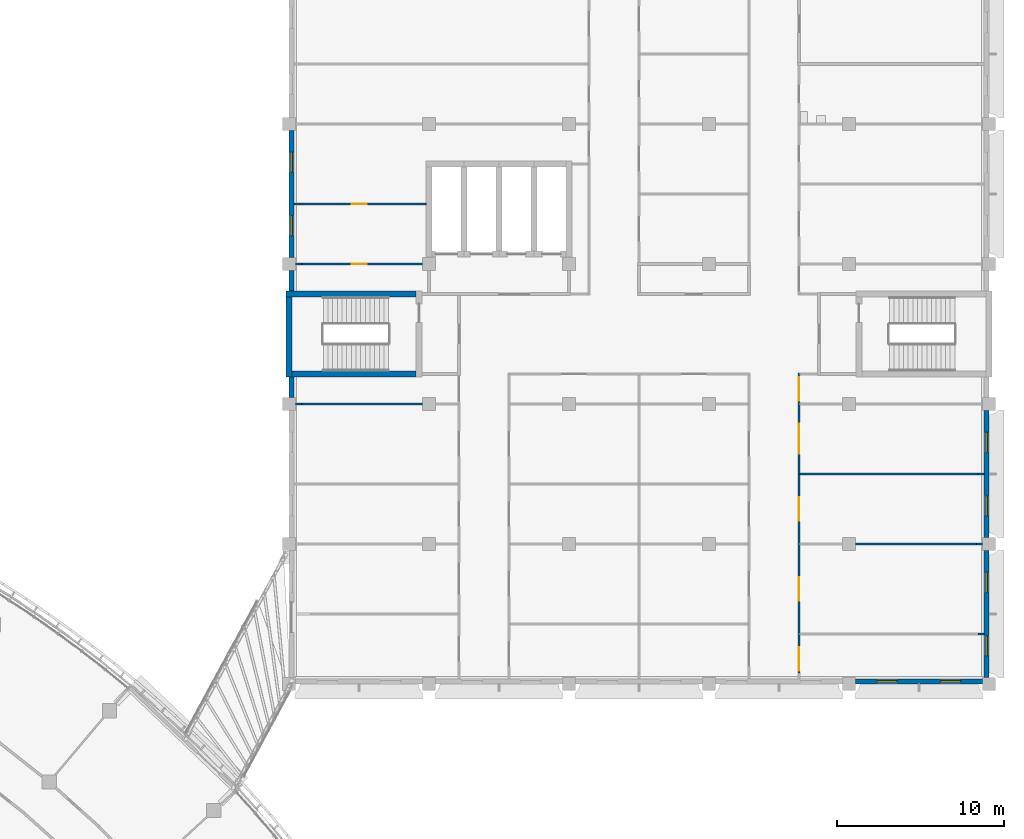
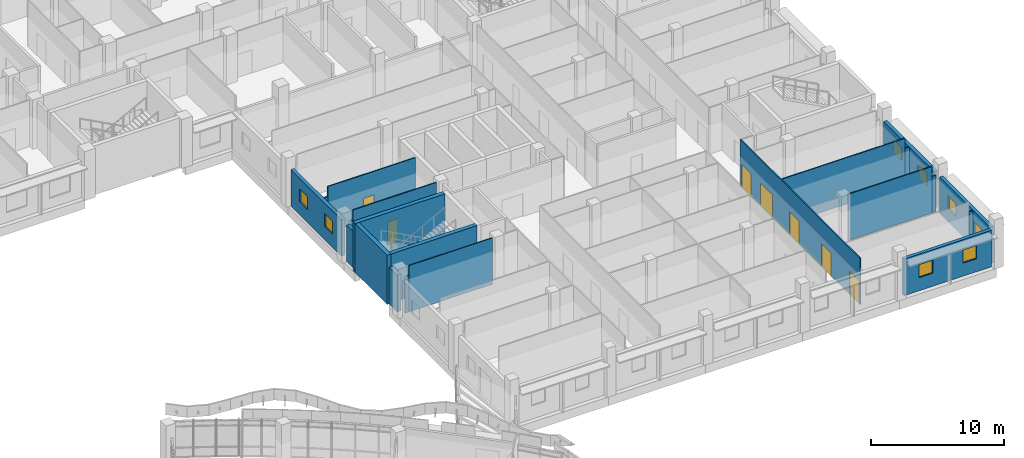
# One storey, part 82 of 136: 21 walls, 8 windows, 7 doors, 15 openings.
"""IFC4 building model written with IfcOpenShell, lengths in metres."""

from ifc_helpers import new_model, si_unit, direction, frame, frame_2d, origin, place, context, subcontext, project, spatial, rectangle, extrude, material, layer, layer_set, type_object, element, fill, save


model = new_model("IFC4")

# Units and contexts
model_context = context("Model", 3, precision=1e-05, world=origin(), true_north=direction((0.0, 1.0)))
body_context = subcontext(model_context, "Body", "Model", "MODEL_VIEW")
ifc_project = project(units=[si_unit("LENGTHUNIT", "METRE"), si_unit("AREAUNIT", "SQUARE_METRE"), si_unit("VOLUMEUNIT", "CUBIC_METRE"), si_unit("PLANEANGLEUNIT", "RADIAN"), si_unit("MASSUNIT", "GRAM", prefix="KILO")], contexts=[model_context])

# Site, building, storey
site_placement = place(None, origin())
site = spatial("IfcSite", under=ifc_project, at=site_placement, CompositionType="ELEMENT")
building_placement = place(site_placement, origin())
building = spatial("IfcBuilding", under=site, at=building_placement, Name="Bougainvillea Quay General Hospital", CompositionType="ELEMENT")
storey_placement = place(building_placement, frame((0.0, 0.0, 5.39990234375)))
storey = spatial("IfcBuildingStorey", under=building, at=storey_placement, Name="L01", CompositionType="ELEMENT", Elevation=5.39990234375)

# Wall, openings, windows
ifc_material_1 = material(Name="Pale stone rainscreen cladding on insulated masonry backing, pale stone", Category="masonry")
ifc_layer_1 = layer(ifc_material_1, 0.300048828125)
ifc_layer_set_1 = layer_set([ifc_layer_1], Name="Pale stone rainscreen cladding on insulated masonry backing, pale stone")
wall_type_1 = type_object("IfcWallType", Name="External wall pale stone rainscreen 300", PredefinedType="STANDARD", material=ifc_layer_set_1)
wall_1_placement = place(storey_placement, frame((163.949951171875, 108.800048828125, 0.0), z_axis=(0.0, 0.0, 1.0), x_axis=(0.0, -1.0, 0.0)))
wall_1 = element("IfcWall", 1, at=wall_1_placement, inside=storey, type_object=wall_type_1, Name="External wall wall/V3/L01/p0/00b", PredefinedType="STANDARD", context=body_context, shape_type="SweptSolid", body=[
    extrude(rectangle(XDim=7.60009765625, YDim=0.300048828125, at=frame_2d((3.800048828125, 0.0))), origin(), (0.0, 0.0, 1.0), 3.35009765625),
])
opening_1_placement = place(wall_1_placement, frame((1.300048828125, 0.0, 1.199951171875)))
opening_1 = element("IfcOpeningElement", 2, at=opening_1_placement, cuts=wall_1, Name="Opening W2", PredefinedType="OPENING", context=body_context, shape_type="SweptSolid", body=[
    extrude(rectangle(XDim=1.199951171875, YDim=1.199951171875, at=frame_2d((0.60009765625, 0.60009765625))), frame((0.0, 0.159912109375, 0.0), z_axis=(0.0, -1.0, 0.0), x_axis=(1.0, 0.0, 0.0)), (0.0, 0.0, 1.0), 0.320068359375),
])
opening_2_placement = place(wall_1_placement, frame((5.10009765625, 0.0, 1.199951171875)))
opening_2 = element("IfcOpeningElement", 3, at=opening_2_placement, cuts=wall_1, Name="Opening W2", PredefinedType="OPENING", context=body_context, shape_type="SweptSolid", body=[
    extrude(rectangle(XDim=1.199951171875, YDim=1.199951171875, at=frame_2d((0.60009765625, 0.60009765625))), frame((0.0, 0.159912109375, 0.0), z_axis=(0.0, -1.0, 0.0), x_axis=(1.0, 0.0, 0.0)), (0.0, 0.0, 1.0), 0.320068359375),
])
ifc_material_2 = material(Name="Aluminium window frame with low-e double glazed unit", Category="aluminium")
window_type = type_object("IfcWindowType", Name="Window W2 1200x1200", PartitioningType="SINGLE_PANEL", PredefinedType="WINDOW", material=ifc_material_2)
window_1_placement = place(opening_1_placement, origin())
window_1 = element("IfcWindow", 4, at=window_1_placement, inside=storey, type_object=window_type, Name="Window W2 1", OverallHeight=1.199951171875, OverallWidth=1.199951171875, PartitioningType="SINGLE_PANEL", PredefinedType="WINDOW", context=body_context, shape_type="SweptSolid", body=[
    extrude(rectangle(XDim=1.199951171875, YDim=1.199951171875, at=frame_2d((0.60009765625, 0.60009765625))), frame((0.0, 0.030029296875, 0.0), z_axis=(0.0, -1.0, 0.0), x_axis=(1.0, 0.0, 0.0)), (0.0, 0.0, 1.0), 0.06005859375),
])
fill(opening_1, window_1)
window_2_placement = place(opening_2_placement, origin())
window_2 = element("IfcWindow", 5, at=window_2_placement, inside=storey, type_object=window_type, Name="Window W2 2", OverallHeight=1.199951171875, OverallWidth=1.199951171875, PartitioningType="SINGLE_PANEL", PredefinedType="WINDOW", context=body_context, shape_type="SweptSolid", body=[
    extrude(rectangle(XDim=1.199951171875, YDim=1.199951171875, at=frame_2d((0.60009765625, 0.60009765625))), frame((0.0, 0.030029296875, 0.0), z_axis=(0.0, -1.0, 0.0), x_axis=(1.0, 0.0, 0.0)), (0.0, 0.0, 1.0), 0.06005859375),
])
fill(opening_2, window_2)

wall_2_placement = place(storey_placement, frame((197.800048828125, 75.75, 0.0), z_axis=(0.0, 0.0, 1.0), x_axis=(1.0, 0.0, 0.0)))
wall_2 = element("IfcWall", 6, at=wall_2_placement, inside=storey, type_object=wall_type_1, Name="External wall wall/V3/L01/p0/01e", PredefinedType="STANDARD", context=body_context, shape_type="SweptSolid", body=[
    extrude(rectangle(XDim=7.599853515625, YDim=0.300048828125, at=frame_2d((3.7998046875, 0.0))), origin(), (0.0, 0.0, 1.0), 3.35009765625),
])
opening_3_placement = place(wall_2_placement, frame((1.300048828125, 0.0, 1.199951171875)))
opening_3 = element("IfcOpeningElement", 7, at=opening_3_placement, cuts=wall_2, Name="Opening W2", PredefinedType="OPENING", context=body_context, shape_type="SweptSolid", body=[
    extrude(rectangle(XDim=1.199951171875, YDim=1.199951171875, at=frame_2d((0.60009765625, 0.60009765625))), frame((0.0, 0.159912109375, 0.0), z_axis=(0.0, -1.0, 0.0), x_axis=(1.0, 0.0, 0.0)), (0.0, 0.0, 1.0), 0.320068359375),
])
opening_4_placement = place(wall_2_placement, frame((5.10009765625, 0.0, 1.199951171875)))
opening_4 = element("IfcOpeningElement", 8, at=opening_4_placement, cuts=wall_2, Name="Opening W2", PredefinedType="OPENING", context=body_context, shape_type="SweptSolid", body=[
    extrude(rectangle(XDim=1.199951171875, YDim=1.199951171875, at=frame_2d((0.60009765625, 0.60009765625))), frame((0.0, 0.159912109375, 0.0), z_axis=(0.0, -1.0, 0.0), x_axis=(1.0, 0.0, 0.0)), (0.0, 0.0, 1.0), 0.320068359375),
])
window_3_placement = place(opening_3_placement, origin())
window_3 = element("IfcWindow", 9, at=window_3_placement, inside=storey, type_object=window_type, Name="Window W2 1", OverallHeight=1.199951171875, OverallWidth=1.199951171875, PartitioningType="SINGLE_PANEL", PredefinedType="WINDOW", context=body_context, shape_type="SweptSolid", body=[
    extrude(rectangle(XDim=1.199951171875, YDim=1.199951171875, at=frame_2d((0.60009765625, 0.60009765625))), frame((0.0, 0.030029296875, 0.0), z_axis=(0.0, -1.0, 0.0), x_axis=(1.0, 0.0, 0.0)), (0.0, 0.0, 1.0), 0.06005859375),
])
fill(opening_3, window_3)
window_4_placement = place(opening_4_placement, origin())
window_4 = element("IfcWindow", 10, at=window_4_placement, inside=storey, type_object=window_type, Name="Window W2 2", OverallHeight=1.199951171875, OverallWidth=1.199951171875, PartitioningType="SINGLE_PANEL", PredefinedType="WINDOW", context=body_context, shape_type="SweptSolid", body=[
    extrude(rectangle(XDim=1.199951171875, YDim=1.199951171875, at=frame_2d((0.60009765625, 0.60009765625))), frame((0.0, 0.030029296875, 0.0), z_axis=(0.0, -1.0, 0.0), x_axis=(1.0, 0.0, 0.0)), (0.0, 0.0, 1.0), 0.06005859375),
])
fill(opening_4, window_4)

wall_3_placement = place(storey_placement, frame((205.64990234375, 76.0, 0.0), z_axis=(0.0, 0.0, 1.0), x_axis=(0.0, 1.0, 0.0)))
wall_3 = element("IfcWall", 11, at=wall_3_placement, inside=storey, type_object=wall_type_1, Name="External wall wall/V3/L01/p0/02a", PredefinedType="STANDARD", context=body_context, shape_type="SweptSolid", body=[
    extrude(rectangle(XDim=7.60009765625, YDim=0.300048828125, at=frame_2d((3.800048828125, 0.0))), origin(), (0.0, 0.0, 1.0), 3.35009765625),
])
opening_5_placement = place(wall_3_placement, frame((1.300048828125, 0.0, 1.199951171875)))
opening_5 = element("IfcOpeningElement", 12, at=opening_5_placement, cuts=wall_3, Name="Opening W2", PredefinedType="OPENING", context=body_context, shape_type="SweptSolid", body=[
    extrude(rectangle(XDim=1.199951171875, YDim=1.199951171875, at=frame_2d((0.60009765625, 0.60009765625))), frame((0.0, 0.159912109375, 0.0), z_axis=(0.0, -1.0, 0.0), x_axis=(1.0, 0.0, 0.0)), (0.0, 0.0, 1.0), 0.320068359375),
])
opening_6_placement = place(wall_3_placement, frame((5.10009765625, 0.0, 1.199951171875)))
opening_6 = element("IfcOpeningElement", 13, at=opening_6_placement, cuts=wall_3, Name="Opening W2", PredefinedType="OPENING", context=body_context, shape_type="SweptSolid", body=[
    extrude(rectangle(XDim=1.199951171875, YDim=1.199951171875, at=frame_2d((0.60009765625, 0.60009765625))), frame((0.0, 0.159912109375, 0.0), z_axis=(0.0, -1.0, 0.0), x_axis=(1.0, 0.0, 0.0)), (0.0, 0.0, 1.0), 0.320068359375),
])
window_5_placement = place(opening_5_placement, origin())
window_5 = element("IfcWindow", 14, at=window_5_placement, inside=storey, type_object=window_type, Name="Window W2 1", OverallHeight=1.199951171875, OverallWidth=1.199951171875, PartitioningType="SINGLE_PANEL", PredefinedType="WINDOW", context=body_context, shape_type="SweptSolid", body=[
    extrude(rectangle(XDim=1.199951171875, YDim=1.199951171875, at=frame_2d((0.60009765625, 0.60009765625))), frame((0.0, 0.030029296875, 0.0), z_axis=(0.0, -1.0, 0.0), x_axis=(1.0, 0.0, 0.0)), (0.0, 0.0, 1.0), 0.06005859375),
])
fill(opening_5, window_5)
window_6_placement = place(opening_6_placement, origin())
window_6 = element("IfcWindow", 15, at=window_6_placement, inside=storey, type_object=window_type, Name="Window W2 2", OverallHeight=1.199951171875, OverallWidth=1.199951171875, PartitioningType="SINGLE_PANEL", PredefinedType="WINDOW", context=body_context, shape_type="SweptSolid", body=[
    extrude(rectangle(XDim=1.199951171875, YDim=1.199951171875, at=frame_2d((0.60009765625, 0.60009765625))), frame((0.0, 0.030029296875, 0.0), z_axis=(0.0, -1.0, 0.0), x_axis=(1.0, 0.0, 0.0)), (0.0, 0.0, 1.0), 0.06005859375),
])
fill(opening_6, window_6)

wall_4_placement = place(storey_placement, frame((205.64990234375, 84.39990234375, 0.0), z_axis=(0.0, 0.0, 1.0), x_axis=(0.0, 1.0, 0.0)))
wall_4 = element("IfcWall", 16, at=wall_4_placement, inside=storey, type_object=wall_type_1, Name="External wall wall/V3/L01/p0/02b", PredefinedType="STANDARD", context=body_context, shape_type="SweptSolid", body=[
    extrude(rectangle(XDim=7.60009765625, YDim=0.300048828125, at=frame_2d((3.800048828125, 0.0))), origin(), (0.0, 0.0, 1.0), 3.35009765625),
])
opening_7_placement = place(wall_4_placement, frame((1.300048828125, 0.0, 1.199951171875)))
opening_7 = element("IfcOpeningElement", 17, at=opening_7_placement, cuts=wall_4, Name="Opening W2", PredefinedType="OPENING", context=body_context, shape_type="SweptSolid", body=[
    extrude(rectangle(XDim=1.199951171875, YDim=1.199951171875, at=frame_2d((0.60009765625, 0.60009765625))), frame((0.0, 0.159912109375, 0.0), z_axis=(0.0, -1.0, 0.0), x_axis=(1.0, 0.0, 0.0)), (0.0, 0.0, 1.0), 0.320068359375),
])
opening_8_placement = place(wall_4_placement, frame((5.10009765625, 0.0, 1.199951171875)))
opening_8 = element("IfcOpeningElement", 18, at=opening_8_placement, cuts=wall_4, Name="Opening W2", PredefinedType="OPENING", context=body_context, shape_type="SweptSolid", body=[
    extrude(rectangle(XDim=1.199951171875, YDim=1.199951171875, at=frame_2d((0.60009765625, 0.60009765625))), frame((0.0, 0.159912109375, 0.0), z_axis=(0.0, -1.0, 0.0), x_axis=(1.0, 0.0, 0.0)), (0.0, 0.0, 1.0), 0.320068359375),
])
window_7_placement = place(opening_7_placement, origin())
window_7 = element("IfcWindow", 19, at=window_7_placement, inside=storey, type_object=window_type, Name="Window W2 1", OverallHeight=1.199951171875, OverallWidth=1.199951171875, PartitioningType="SINGLE_PANEL", PredefinedType="WINDOW", context=body_context, shape_type="SweptSolid", body=[
    extrude(rectangle(XDim=1.199951171875, YDim=1.199951171875, at=frame_2d((0.60009765625, 0.60009765625))), frame((0.0, 0.030029296875, 0.0), z_axis=(0.0, -1.0, 0.0), x_axis=(1.0, 0.0, 0.0)), (0.0, 0.0, 1.0), 0.06005859375),
])
fill(opening_7, window_7)
window_8_placement = place(opening_8_placement, origin())
window_8 = element("IfcWindow", 20, at=window_8_placement, inside=storey, type_object=window_type, Name="Window W2 2", OverallHeight=1.199951171875, OverallWidth=1.199951171875, PartitioningType="SINGLE_PANEL", PredefinedType="WINDOW", context=body_context, shape_type="SweptSolid", body=[
    extrude(rectangle(XDim=1.199951171875, YDim=1.199951171875, at=frame_2d((0.60009765625, 0.60009765625))), frame((0.0, 0.030029296875, 0.0), z_axis=(0.0, -1.0, 0.0), x_axis=(1.0, 0.0, 0.0)), (0.0, 0.0, 1.0), 0.06005859375),
])
fill(opening_8, window_8)

# Walls
ifc_material_3 = material(Name="Terracotta rainscreen cladding on insulated masonry backing, terracotta", Category="masonry")
ifc_layer_2 = layer(ifc_material_3, 0.300048828125)
ifc_layer_set_2 = layer_set([ifc_layer_2], Name="Terracotta rainscreen cladding on insulated masonry backing, terracotta")
wall_type_2 = type_object("IfcWallType", Name="External wall terracotta rainscreen 300", PredefinedType="STANDARD", material=ifc_layer_set_2)
for number, where, z_axis, x_axis, name in (
    (21, (163.949951171875, 100.39990234375, 0.0), (0.0, 0.0, 1.0), (0.0, -1.0, 0.0), "External wall wall/V3/L01/p0/00c"),
    (22, (163.949951171875, 94.02490234375, 0.0), (0.0, 0.0, 1.0), (0.0, -1.0, 0.0), "External wall wall/V3/L01/p0/00d"),
):
    element("IfcWall", number, at=place(storey_placement, frame(where, z_axis=z_axis, x_axis=x_axis)), inside=storey, type_object=wall_type_2, Name=name, PredefinedType="STANDARD", context=body_context, shape_type="SweptSolid", body=[
        extrude(rectangle(XDim=1.224853515625, YDim=0.300048828125, at=frame_2d((0.6123046875, 0.0))), origin(), (0.0, 0.0, 1.0), 3.35009765625),
    ])

# Wall, openings, doors
ifc_material_4 = material(Name="Gypsum board partition on steel studs", Category="steel")
ifc_layer_3 = layer(ifc_material_4, 0.10009765625)
ifc_layer_set_3 = layer_set([ifc_layer_3], Name="Gypsum board partition on steel studs")
wall_type_3 = type_object("IfcWallType", Name="Partition 100 Gypsum board partition", PredefinedType="PARTITIONING", material=ifc_layer_set_3)
wall_5_placement = place(storey_placement, frame((194.39990234375, 94.25, 0.0), z_axis=(0.0, 0.0, 1.0), x_axis=(0.0, -1.0, 0.0)))
wall_5 = element("IfcWall", 23, at=wall_5_placement, inside=storey, type_object=wall_type_3, Name="Partition 100 mm", PredefinedType="PARTITIONING", context=body_context, shape_type="SweptSolid", body=[
    extrude(rectangle(XDim=18.0, YDim=0.10009765625, at=frame_2d((9.0, 0.0))), origin(), (0.0, 0.0, 1.0), 4.25),
])
opening_9_placement = place(wall_5_placement, frame((0.25, 0.0, 0.0)))
opening_9 = element("IfcOpeningElement", 24, at=opening_9_placement, cuts=wall_5, Name="Opening L01.112", PredefinedType="OPENING", context=body_context, shape_type="SweptSolid", body=[
    extrude(rectangle(XDim=1.39990234375, YDim=2.10009765625, at=frame_2d((0.699951171875, 1.050048828125))), frame((0.0, 0.06005859375, 0.0), z_axis=(0.0, -1.0, 0.0), x_axis=(1.0, 0.0, 0.0)), (0.0, 0.0, 1.0), 0.1201171875),
])
opening_10_placement = place(wall_5_placement, frame((3.050048828125, 0.0, 0.0)))
opening_10 = element("IfcOpeningElement", 25, at=opening_10_placement, cuts=wall_5, Name="Opening L01.113", PredefinedType="OPENING", context=body_context, shape_type="SweptSolid", body=[
    extrude(rectangle(XDim=1.800048828125, YDim=2.10009765625, at=frame_2d((0.89990234375, 1.050048828125))), frame((0.0, 0.06005859375, 0.0), z_axis=(0.0, -1.0, 0.0), x_axis=(1.0, 0.0, 0.0)), (0.0, 0.0, 1.0), 0.1201171875),
])
opening_11_placement = place(wall_5_placement, frame((7.449951171875, 0.0, 0.0)))
opening_11 = element("IfcOpeningElement", 26, at=opening_11_placement, cuts=wall_5, Name="Opening L01.114", PredefinedType="OPENING", context=body_context, shape_type="SweptSolid", body=[
    extrude(rectangle(XDim=1.39990234375, YDim=2.10009765625, at=frame_2d((0.699951171875, 1.050048828125))), frame((0.0, 0.06005859375, 0.0), z_axis=(0.0, -1.0, 0.0), x_axis=(1.0, 0.0, 0.0)), (0.0, 0.0, 1.0), 0.1201171875),
])
opening_12_placement = place(wall_5_placement, frame((12.25, 0.0, 0.0)))
opening_12 = element("IfcOpeningElement", 27, at=opening_12_placement, cuts=wall_5, Name="Opening L01.115", PredefinedType="OPENING", context=body_context, shape_type="SweptSolid", body=[
    extrude(rectangle(XDim=1.39990234375, YDim=2.10009765625, at=frame_2d((0.699951171875, 1.050048828125))), frame((0.0, 0.06005859375, 0.0), z_axis=(0.0, -1.0, 0.0), x_axis=(1.0, 0.0, 0.0)), (0.0, 0.0, 1.0), 0.1201171875),
])
opening_13_placement = place(wall_5_placement, frame((16.449951171875, 0.0, 0.0)))
opening_13 = element("IfcOpeningElement", 28, at=opening_13_placement, cuts=wall_5, Name="Opening L01.116", PredefinedType="OPENING", context=body_context, shape_type="SweptSolid", body=[
    extrude(rectangle(XDim=1.39990234375, YDim=2.10009765625, at=frame_2d((0.699951171875, 1.050048828125))), frame((0.0, 0.06005859375, 0.0), z_axis=(0.0, -1.0, 0.0), x_axis=(1.0, 0.0, 0.0)), (0.0, 0.0, 1.0), 0.1201171875),
])
ifc_material_5 = material(Name="Solid-core timber door leaves in steel frame", Category="steel")
door_type_1 = type_object("IfcDoorType", Name="Bed door pair 1400x2100", OperationType="DOUBLE_DOOR_SINGLE_SWING", PredefinedType="DOOR", material=ifc_material_5)
door_1_placement = place(opening_9_placement, origin())
door_1 = element("IfcDoor", 29, at=door_1_placement, inside=storey, type_object=door_type_1, Name="DT09 L01.112", OperationType="DOUBLE_DOOR_SINGLE_SWING", OverallHeight=2.10009765625, OverallWidth=1.39990234375, PredefinedType="DOOR", context=body_context, shape_type="SweptSolid", body=[
    extrude(rectangle(XDim=1.39990234375, YDim=2.10009765625, at=frame_2d((0.699951171875, 1.050048828125))), frame((0.0, 0.02490234375, 0.0), z_axis=(0.0, -1.0, 0.0), x_axis=(1.0, 0.0, 0.0)), (0.0, 0.0, 1.0), 0.050048828125),
])
fill(opening_9, door_1)
door_2_placement = place(opening_11_placement, origin())
door_2 = element("IfcDoor", 30, at=door_2_placement, inside=storey, type_object=door_type_1, Name="DT09 L01.114", OperationType="DOUBLE_DOOR_SINGLE_SWING", OverallHeight=2.10009765625, OverallWidth=1.39990234375, PredefinedType="DOOR", context=body_context, shape_type="SweptSolid", body=[
    extrude(rectangle(XDim=1.39990234375, YDim=2.10009765625, at=frame_2d((0.699951171875, 1.050048828125))), frame((0.0, 0.02490234375, 0.0), z_axis=(0.0, -1.0, 0.0), x_axis=(1.0, 0.0, 0.0)), (0.0, 0.0, 1.0), 0.050048828125),
])
fill(opening_11, door_2)
door_3_placement = place(opening_12_placement, origin())
door_3 = element("IfcDoor", 31, at=door_3_placement, inside=storey, type_object=door_type_1, Name="DT09 L01.115", OperationType="DOUBLE_DOOR_SINGLE_SWING", OverallHeight=2.10009765625, OverallWidth=1.39990234375, PredefinedType="DOOR", context=body_context, shape_type="SweptSolid", body=[
    extrude(rectangle(XDim=1.39990234375, YDim=2.10009765625, at=frame_2d((0.699951171875, 1.050048828125))), frame((0.0, 0.02490234375, 0.0), z_axis=(0.0, -1.0, 0.0), x_axis=(1.0, 0.0, 0.0)), (0.0, 0.0, 1.0), 0.050048828125),
])
fill(opening_12, door_3)
door_4_placement = place(opening_13_placement, origin())
door_4 = element("IfcDoor", 32, at=door_4_placement, inside=storey, type_object=door_type_1, Name="DT09 L01.116", OperationType="DOUBLE_DOOR_SINGLE_SWING", OverallHeight=2.10009765625, OverallWidth=1.39990234375, PredefinedType="DOOR", context=body_context, shape_type="SweptSolid", body=[
    extrude(rectangle(XDim=1.39990234375, YDim=2.10009765625, at=frame_2d((0.699951171875, 1.050048828125))), frame((0.0, 0.02490234375, 0.0), z_axis=(0.0, -1.0, 0.0), x_axis=(1.0, 0.0, 0.0)), (0.0, 0.0, 1.0), 0.050048828125),
])
fill(opening_13, door_4)
door_type_2 = type_object("IfcDoorType", Name="Double leaf door 1800x2100", OperationType="DOUBLE_DOOR_SINGLE_SWING", PredefinedType="DOOR", material=ifc_material_5)
door_5_placement = place(opening_10_placement, origin())
door_5 = element("IfcDoor", 33, at=door_5_placement, inside=storey, type_object=door_type_2, Name="DT08 L01.113", OperationType="DOUBLE_DOOR_SINGLE_SWING", OverallHeight=2.10009765625, OverallWidth=1.800048828125, PredefinedType="DOOR", context=body_context, shape_type="SweptSolid", body=[
    extrude(rectangle(XDim=1.800048828125, YDim=2.10009765625, at=frame_2d((0.89990234375, 1.050048828125))), frame((0.0, 0.02490234375, 0.0), z_axis=(0.0, -1.0, 0.0), x_axis=(1.0, 0.0, 0.0)), (0.0, 0.0, 1.0), 0.050048828125),
])
fill(opening_10, door_5)

# Walls
wall_6_placement = place(storey_placement, frame((205.14990234375, 78.60009765625, 0.0), z_axis=(0.0, 0.0, 1.0), x_axis=(1.0, 0.0, 0.0)))
element("IfcWall", 34, at=wall_6_placement, inside=storey, type_object=wall_type_3, Name="Partition 100 mm", PredefinedType="PARTITIONING", context=body_context, shape_type="SweptSolid", body=[
    extrude(rectangle(XDim=0.35009765625, YDim=0.10009765625, at=frame_2d((0.175048828125, 0.0))), origin(), (0.0, 0.0, 1.0), 3.330078125),
])
wall_7_placement = place(storey_placement, frame((197.800048828125, 84.0, 0.0), z_axis=(0.0, 0.0, 1.0), x_axis=(1.0, 0.0, 0.0)))
element("IfcWall", 35, at=wall_7_placement, inside=storey, type_object=wall_type_3, Name="Partition 100 mm", PredefinedType="PARTITIONING", context=body_context, shape_type="SweptSolid", body=[
    extrude(rectangle(XDim=7.25, YDim=0.10009765625, at=frame_2d((3.625, 0.0))), origin(), (0.0, 0.0, 1.0), 4.25),
])
wall_8_placement = place(storey_placement, frame((205.050048828125, 84.0, 0.0), z_axis=(0.0, 0.0, 1.0), x_axis=(1.0, 0.0, 0.0)))
element("IfcWall", 36, at=wall_8_placement, inside=storey, type_object=wall_type_3, Name="Partition 100 mm", PredefinedType="PARTITIONING", context=body_context, shape_type="SweptSolid", body=[
    extrude(rectangle(XDim=0.349853515625, YDim=0.10009765625, at=frame_2d((0.1748046875, 0.0))), origin(), (0.0, 0.0, 1.0), 3.330078125),
])
wall_9_placement = place(storey_placement, frame((194.449951171875, 88.199951171875, 0.0), z_axis=(0.0, 0.0, 1.0), x_axis=(1.0, 0.0, 0.0)))
element("IfcWall", 37, at=wall_9_placement, inside=storey, type_object=wall_type_3, Name="Partition 100 mm", PredefinedType="PARTITIONING", context=body_context, shape_type="SweptSolid", body=[
    extrude(rectangle(XDim=10.699951171875, YDim=0.10009765625, at=frame_2d((5.35009765625, 0.0))), origin(), (0.0, 0.0, 1.0), 4.25),
])
for number, where, z_axis, x_axis, name in (
    (38, (205.14990234375, 88.199951171875, 0.0), (0.0, 0.0, 1.0), (1.0, 0.0, 0.0), "Partition 100 mm"),
    (39, (164.199951171875, 92.39990234375, 0.0), (0.0, 0.0, 1.0), (1.0, 0.0, 0.0), "Partition 100 mm"),
):
    element("IfcWall", number, at=place(storey_placement, frame(where, z_axis=z_axis, x_axis=x_axis)), inside=storey, type_object=wall_type_3, Name=name, PredefinedType="PARTITIONING", context=body_context, shape_type="SweptSolid", body=[
        extrude(rectangle(XDim=0.35009765625, YDim=0.10009765625, at=frame_2d((0.175048828125, 0.0))), origin(), (0.0, 0.0, 1.0), 3.330078125),
    ])
wall_10_placement = place(storey_placement, frame((164.550048828125, 92.39990234375, 0.0), z_axis=(0.0, 0.0, 1.0), x_axis=(1.0, 0.0, 0.0)))
element("IfcWall", 40, at=wall_10_placement, inside=storey, type_object=wall_type_3, Name="Partition 100 mm", PredefinedType="PARTITIONING", context=body_context, shape_type="SweptSolid", body=[
    extrude(rectangle(XDim=7.25, YDim=0.10009765625, at=frame_2d((3.625, 0.0))), origin(), (0.0, 0.0, 1.0), 4.25),
])
wall_11_placement = place(storey_placement, frame((164.199951171875, 100.800048828125, 0.0), z_axis=(0.0, 0.0, 1.0), x_axis=(1.0, 0.0, 0.0)))
element("IfcWall", 41, at=wall_11_placement, inside=storey, type_object=wall_type_3, Name="Partition 100 mm", PredefinedType="PARTITIONING", context=body_context, shape_type="SweptSolid", body=[
    extrude(rectangle(XDim=0.35009765625, YDim=0.10009765625, at=frame_2d((0.175048828125, 0.0))), origin(), (0.0, 0.0, 1.0), 3.330078125),
])

# Wall, opening, door
wall_12_placement = place(storey_placement, frame((164.550048828125, 100.800048828125, 0.0), z_axis=(0.0, 0.0, 1.0), x_axis=(1.0, 0.0, 0.0)))
wall_12 = element("IfcWall", 42, at=wall_12_placement, inside=storey, type_object=wall_type_3, Name="Partition 100 mm", PredefinedType="PARTITIONING", context=body_context, shape_type="SweptSolid", body=[
    extrude(rectangle(XDim=7.25, YDim=0.10009765625, at=frame_2d((3.625, 0.0))), origin(), (0.0, 0.0, 1.0), 4.25),
])
opening_14_placement = place(wall_12_placement, frame((3.0, 0.0, 0.0)))
opening_14 = element("IfcOpeningElement", 43, at=opening_14_placement, cuts=wall_12, Name="Opening L01.222", PredefinedType="OPENING", context=body_context, shape_type="SweptSolid", body=[
    extrude(rectangle(XDim=0.89990234375, YDim=2.10009765625, at=frame_2d((0.449951171875, 1.050048828125))), frame((0.0, 0.06005859375, 0.0), z_axis=(0.0, -1.0, 0.0), x_axis=(1.0, 0.0, 0.0)), (0.0, 0.0, 1.0), 0.1201171875),
])
ifc_material_6 = material(Name="Solid-core timber door leaf in steel frame", Category="steel")
door_type_3 = type_object("IfcDoorType", Name="Single leaf door 900x2100", OperationType="NOTDEFINED", PredefinedType="DOOR", material=ifc_material_6)
door_6_placement = place(opening_14_placement, frame((0.89990234375, 0.0, 0.0), z_axis=(0.0, 0.0, 1.0), x_axis=(-1.0, 0.0, 0.0)))
door_6 = element("IfcDoor", 44, at=door_6_placement, inside=storey, type_object=door_type_3, Name="DT07 L01.222", OperationType="SINGLE_SWING_RIGHT", OverallHeight=2.10009765625, OverallWidth=0.89990234375, PredefinedType="DOOR", context=body_context, shape_type="SweptSolid", body=[
    extrude(rectangle(XDim=0.89990234375, YDim=2.10009765625, at=frame_2d((0.449951171875, 1.050048828125))), frame((0.0, 0.02490234375, 0.0), z_axis=(0.0, -1.0, 0.0), x_axis=(1.0, 0.0, 0.0)), (0.0, 0.0, 1.0), 0.050048828125),
])
fill(opening_14, door_6)

# Wall
wall_13_placement = place(storey_placement, frame((164.10009765625, 104.39794921875, 0.0), z_axis=(0.0, 0.0, 1.0), x_axis=(1.0, 0.0, 0.0)))
element("IfcWall", 45, at=wall_13_placement, inside=storey, type_object=wall_type_3, Name="Partition 100 mm", PredefinedType="PARTITIONING", context=body_context, shape_type="SweptSolid", body=[
    extrude(rectangle(XDim=0.349853515625, YDim=0.10009765625, at=frame_2d((0.1748046875, 0.0))), origin(), (0.0, 0.0, 1.0), 3.330078125),
])

# Wall, opening, door
wall_14_placement = place(storey_placement, frame((164.449951171875, 104.39794921875, 0.0), z_axis=(0.0, 0.0, 1.0), x_axis=(1.0, 0.0, 0.0)))
wall_14 = element("IfcWall", 46, at=wall_14_placement, inside=storey, type_object=wall_type_3, Name="Partition 100 mm", PredefinedType="PARTITIONING", context=body_context, shape_type="SweptSolid", body=[
    extrude(rectangle(XDim=7.574951171875, YDim=0.10009765625, at=frame_2d((3.78759765625, 0.0))), origin(), (0.0, 0.0, 1.0), 4.25),
])
opening_15_placement = place(wall_14_placement, frame((3.10009765625, 0.0, 0.0)))
opening_15 = element("IfcOpeningElement", 47, at=opening_15_placement, cuts=wall_14, Name="Opening L01.221", PredefinedType="OPENING", context=body_context, shape_type="SweptSolid", body=[
    extrude(rectangle(XDim=0.89990234375, YDim=2.10009765625, at=frame_2d((0.449951171875, 1.050048828125))), frame((0.0, 0.06005859375, 0.0), z_axis=(0.0, -1.0, 0.0), x_axis=(1.0, 0.0, 0.0)), (0.0, 0.0, 1.0), 0.1201171875),
])
door_7_placement = place(opening_15_placement, frame((0.89990234375, 0.0, 0.0), z_axis=(0.0, 0.0, 1.0), x_axis=(-1.0, 0.0, 0.0)))
door_7 = element("IfcDoor", 48, at=door_7_placement, inside=storey, type_object=door_type_3, Name="DT07 L01.221", OperationType="SINGLE_SWING_RIGHT", OverallHeight=2.10009765625, OverallWidth=0.89990234375, PredefinedType="DOOR", context=body_context, shape_type="SweptSolid", body=[
    extrude(rectangle(XDim=0.89990234375, YDim=2.10009765625, at=frame_2d((0.449951171875, 1.050048828125))), frame((0.0, 0.02490234375, 0.0), z_axis=(0.0, -1.0, 0.0), x_axis=(1.0, 0.0, 0.0)), (0.0, 0.0, 1.0), 0.050048828125),
])
fill(opening_15, door_7)

# Walls
ifc_material_7 = material(Name="Concrete C40", Category="concrete")
ifc_layer_4 = layer(ifc_material_7, 0.35009765625)
ifc_layer_set_4 = layer_set([ifc_layer_4], Name="Concrete C40")
wall_type_4 = type_object("IfcWallType", Name="RC SHEAR WALL 350 C40", PredefinedType="SHEAR", material=ifc_layer_set_4)
wall_15_placement = place(storey_placement, frame((163.625, 99.0, 0.0), z_axis=(0.0, 0.0, 1.0), x_axis=(1.0, 0.0, 0.0)))
element("IfcWall", 49, at=wall_15_placement, inside=storey, type_object=wall_type_4, Name="Shear wall L01", PredefinedType="SHEAR", context=body_context, shape_type="SweptSolid", body=[
    extrude(rectangle(XDim=7.800048828125, YDim=0.35009765625, at=frame_2d((3.89990234375, 0.0))), origin(), (0.0, 0.0, 1.0), 4.5),
])
wall_16_placement = place(storey_placement, frame((163.800048828125, 94.02490234375, 0.0), z_axis=(0.0, 0.0, 1.0), x_axis=(0.0, 1.0, 0.0)))
element("IfcWall", 50, at=wall_16_placement, inside=storey, type_object=wall_type_4, Name="Shear wall L01", PredefinedType="SHEAR", context=body_context, shape_type="SweptSolid", body=[
    extrude(rectangle(XDim=4.800048828125, YDim=0.35009765625, at=frame_2d((2.39990234375, 0.0))), origin(), (0.0, 0.0, 1.0), 4.5),
])
wall_17_placement = place(storey_placement, frame((163.97509765625, 94.199951171875, 0.0), z_axis=(0.0, 0.0, 1.0), x_axis=(1.0, 0.0, 0.0)))
element("IfcWall", 51, at=wall_17_placement, inside=storey, type_object=wall_type_4, Name="Shear wall L01", PredefinedType="SHEAR", context=body_context, shape_type="SweptSolid", body=[
    extrude(rectangle(XDim=7.449951171875, YDim=0.35009765625, at=frame_2d((3.72509765625, 0.0))), origin(), (0.0, 0.0, 1.0), 4.5),
])

save(model, "model.ifc")
